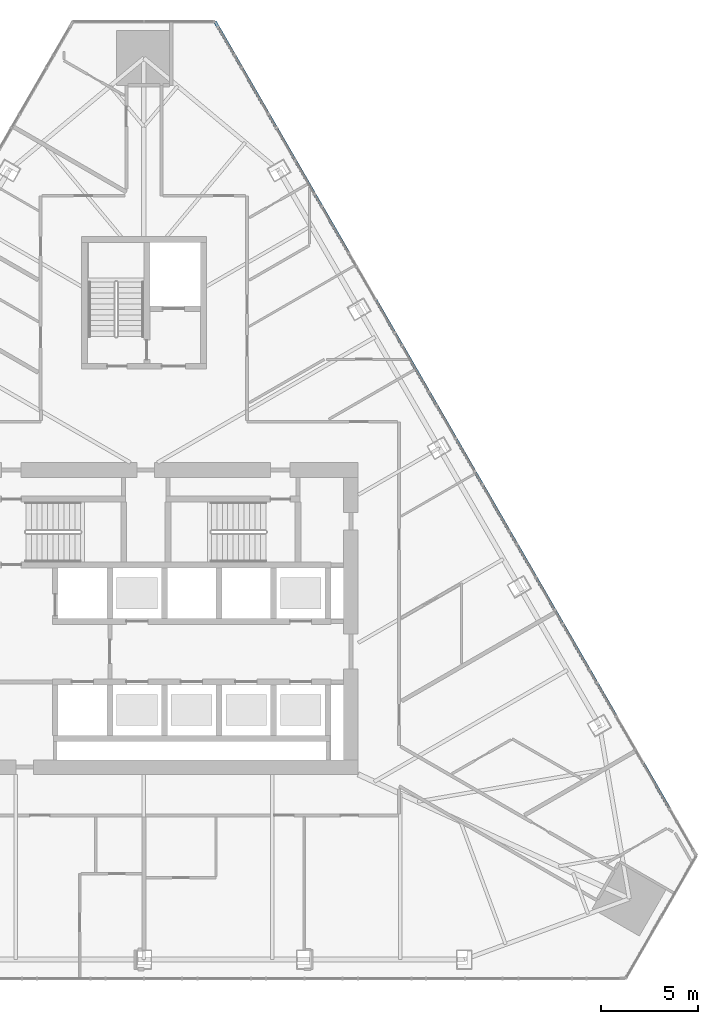
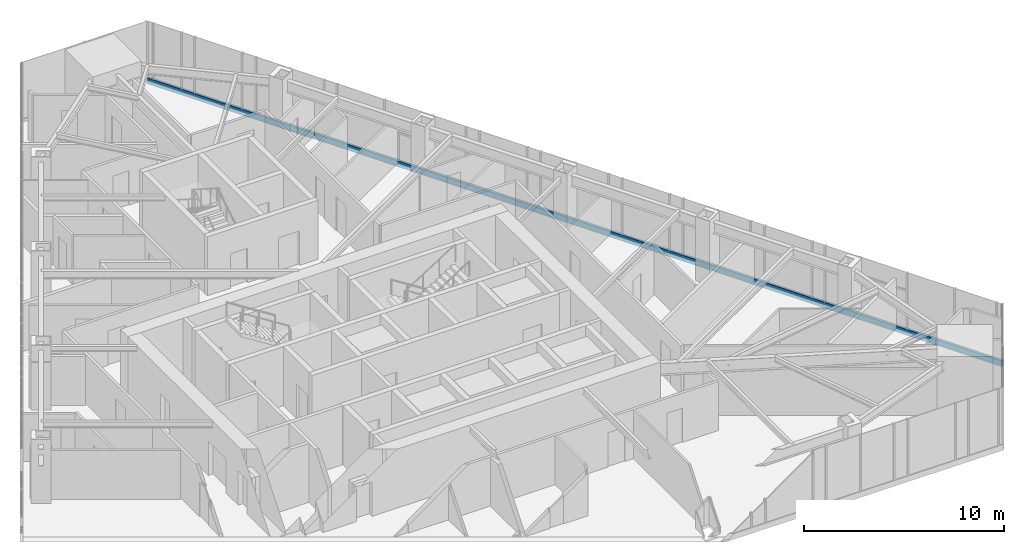
# One storey, part 9 of 24: 1 member, 1 element without a shape of its own.
"""IFC4 building model written with IfcOpenShell, lengths in metres."""

from ifc_helpers import new_model, si_unit, direction, frame, origin, origin_2d, place, context, subcontext, project, spatial, rectangle, extrude, material, layer, layer_set, material_profile, profile_set, type_object, element, aggregate, save


model = new_model("IFC4")

# Units and contexts
model_context = context("Model", 3, precision=1e-05, world=origin(), true_north=direction((0.0, 1.0)))
body_context = subcontext(model_context, "Body", "Model", "MODEL_VIEW")
ifc_project = project(units=[si_unit("LENGTHUNIT", "METRE"), si_unit("AREAUNIT", "SQUARE_METRE"), si_unit("VOLUMEUNIT", "CUBIC_METRE"), si_unit("PLANEANGLEUNIT", "RADIAN"), si_unit("MASSUNIT", "GRAM", prefix="KILO")], contexts=[model_context])

# Site, building, storey
site_placement = place(None, origin())
site = spatial("IfcSite", under=ifc_project, at=site_placement, CompositionType="ELEMENT")
building_placement = place(site_placement, origin())
building = spatial("IfcBuilding", under=site, at=building_placement, Name="Firuza Gate Tower and Library", CompositionType="ELEMENT")
storey_placement = place(building_placement, frame((0.0, 0.0, 237.699951171875)))
storey = spatial("IfcBuildingStorey", under=building, at=storey_placement, Name="L56", CompositionType="ELEMENT", Elevation=237.699951171875)

# Curtain wall, member
ifc_material_1 = material(Name="Aluminium 6063-T6", Category="aluminium")
ifc_layer = layer(ifc_material_1, 0.14990234375)
ifc_layer_set = layer_set([ifc_layer], Name="Unitised curtain wall, hotel")
curtain_wall_type = type_object("IfcCurtainWallType", Name="Unitised curtain wall, hotel", PredefinedType="NOTDEFINED", material=ifc_layer_set)
curtain_wall_placement = place(storey_placement, origin())
curtain_wall = element("IfcCurtainWall", 1, at=curtain_wall_placement, inside=storey, type_object=curtain_wall_type, Name="CW2 L56 E face", PredefinedType="NOTDEFINED")
ifc_material_2 = material(Name="Aluminium 6063-T6", Category="aluminium")
ifc_material_profile = material_profile(ifc_material_2, rectangle(XDim=0.14990234375, YDim=0.35009765625, at=origin_2d()))
ifc_profile_set = profile_set([ifc_material_profile], Name="Aluminium 6063-T6")
member_type = type_object("IfcMemberType", Name="Curtain wall transom 350x150", PredefinedType="USERDEFINED", material=ifc_profile_set)
member_placement = place(storey_placement, frame((103.36328125, 62.831298828125, -0.02490234375), z_axis=(-0.49999858964, 0.866026218055, 0.0), x_axis=(-0.866026218055, -0.49999858964, 0.0)))
member = element("IfcMember", 2, at=member_placement, type_object=member_type, Name="Transom", ObjectType="TRANSOM", PredefinedType="USERDEFINED", context=body_context, shape_type="SweptSolid", body=[
    extrude(rectangle(XDim=0.14990234375, YDim=0.35009765625, at=origin_2d()), origin(), (0.0, 0.0, 1.0), 49.440185546875),
])
aggregate(curtain_wall, [member])

save(model, "model.ifc")
